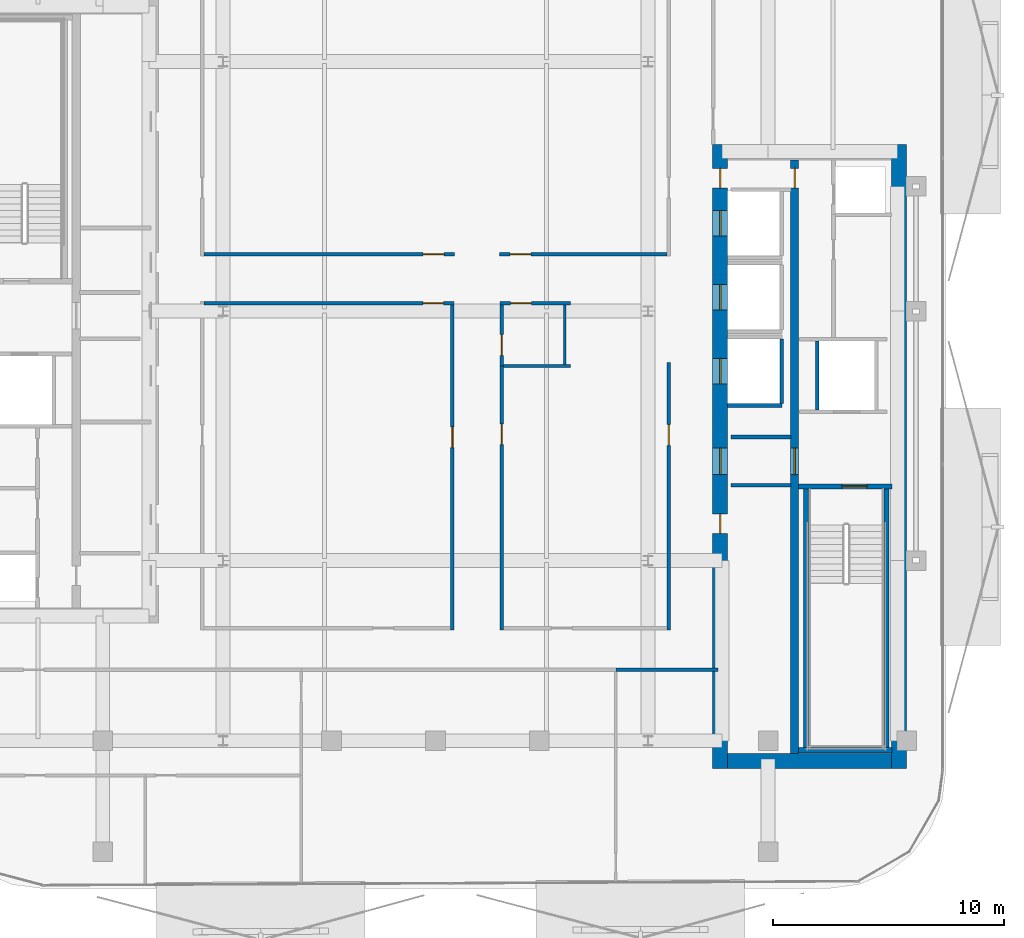
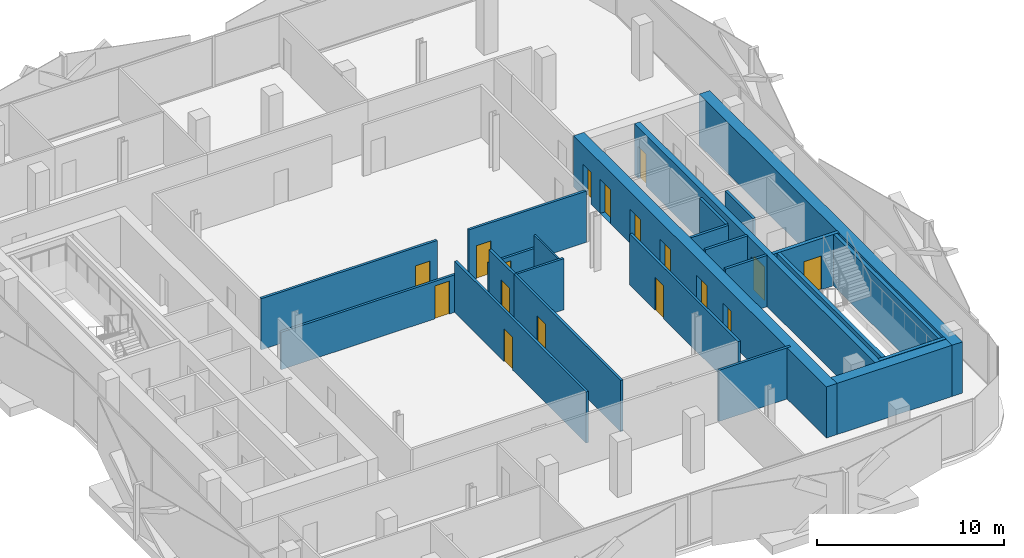
# One storey, part 4 of 14: 24 walls, 17 doors, 17 openings.
"""IFC4 building model written with IfcOpenShell, lengths in metres."""

from ifc_helpers import new_model, si_unit, direction, frame, frame_2d, origin, place, context, subcontext, project, spatial, rectangle, extrude, material, layer, layer_set, type_object, element, fill, save


model = new_model("IFC4")

# Units and contexts
model_context = context("Model", 3, precision=1e-05, world=origin(), true_north=direction((0.0, 1.0)))
body_context = subcontext(model_context, "Body", "Model", "MODEL_VIEW")
ifc_project = project(units=[si_unit("LENGTHUNIT", "METRE"), si_unit("AREAUNIT", "SQUARE_METRE"), si_unit("VOLUMEUNIT", "CUBIC_METRE"), si_unit("PLANEANGLEUNIT", "RADIAN"), si_unit("MASSUNIT", "GRAM", prefix="KILO")], contexts=[model_context])

# Site, building, storey
site_placement = place(None, origin())
site = spatial("IfcSite", under=ifc_project, at=site_placement, CompositionType="ELEMENT")
building_placement = place(site_placement, origin())
building = spatial("IfcBuilding", under=site, at=building_placement, Name="Khairoan Windgate Tower", CompositionType="ELEMENT")
storey_placement = place(building_placement, frame((0.0, 0.0, 236.800048828125)))
storey = spatial("IfcBuildingStorey", under=building, at=storey_placement, Name="L55", CompositionType="ELEMENT", Elevation=236.800048828125)

# Walls
ifc_material_1 = material(Name="Moisture-Resistant Gypsum Partition", Category="gypsum")
ifc_layer_1 = layer(ifc_material_1, 0.10009765625, Name="Moisture-Resistant Gypsum Partition")
ifc_layer_set_1 = layer_set([ifc_layer_1], Name="Moisture-Resistant Gypsum Partition")
wall_type_1 = type_object("IfcWallType", Name="Bathroom Wet-Area Partition Wall", PredefinedType="PARTITIONING", material=ifc_layer_set_1)
wall_1_placement = place(storey_placement, frame((5.60009765625, 0.260009765625, 0.0), z_axis=(0.0, 0.0, 1.0), x_axis=(0.0, -1.0, 0.0)))
element("IfcWall", 1, at=wall_1_placement, inside=storey, type_object=wall_type_1, Name="L55 Wet Room Side Wall 059", PredefinedType="PARTITIONING", context=body_context, shape_type="SweptSolid", body=[
    extrude(rectangle(XDim=2.570068359375, YDim=0.10009765625, at=frame_2d((1.28515625, 0.0))), origin(), (0.0, 0.0, 1.0), 3.33984375),
])
ifc_material_2 = material(Name="Concrete C40/50", Category="concrete")
ifc_layer_2 = layer(ifc_material_2, 0.159912109375, Name="Concrete C40/50")
ifc_layer_set_2 = layer_set([ifc_layer_2], Name="Concrete C40/50")
wall_type_2 = type_object("IfcWallType", Name="Core and Hoistway Enclosure Wall", PredefinedType="STANDARD", material=ifc_layer_set_2)
wall_2_placement = place(storey_placement, frame((12.64990234375, -4.090087890625, 0.0), z_axis=(0.0, 0.0, 1.0), x_axis=(1.0, 0.0, 0.0)))
element("IfcWall", 2, at=wall_2_placement, inside=storey, type_object=wall_type_2, Name="L55 Lift PL9 Hoistway Divider S", PredefinedType="STANDARD", context=body_context, shape_type="SweptSolid", body=[
    extrude(rectangle(XDim=2.340087890625, YDim=0.159912109375, at=frame_2d((1.169921875, 0.0))), origin(), (0.0, 0.0, 1.0), 3.33984375),
])
wall_3_placement = place(storey_placement, frame((14.989990234375, -4.0, 0.0), z_axis=(0.0, 0.0, 1.0), x_axis=(0.0, 1.0, 0.0)))
element("IfcWall", 3, at=wall_3_placement, inside=storey, type_object=wall_type_2, Name="L55 Lift PL9 Hoistway Back Wall", PredefinedType="STANDARD", context=body_context, shape_type="SweptSolid", body=[
    extrude(rectangle(XDim=2.800048828125, YDim=0.159912109375, at=frame_2d((1.39990234375, 0.0))), origin(), (0.0, 0.0, 1.0), 3.33984375),
])
wall_4_placement = place(storey_placement, frame((16.52001953125, -4.280029296875, 0.0), z_axis=(0.0, 0.0, 1.0), x_axis=(0.0, 1.0, 0.0)))
element("IfcWall", 4, at=wall_4_placement, inside=storey, type_object=wall_type_2, Name="L55 Core Shaft Wall SW-FL1W-L55", PredefinedType="STANDARD", context=body_context, shape_type="SweptSolid", body=[
    extrude(rectangle(XDim=2.97998046875, YDim=0.159912109375, at=frame_2d((1.489990234375, 0.0))), origin(), (0.0, 0.0, 1.0), 3.33984375),
])
for number, where, z_axis, x_axis, name in (
    (5, (12.800048828125, -5.449951171875, 0.0), (0.0, 0.0, 1.0), (1.0, 0.0, 0.0), "L55 Core Shaft Wall SW-EV1-L55"),
    (6, (12.800048828125, -7.5400390625, 0.0), (0.0, 0.0, 1.0), (1.0, 0.0, 0.0), "L55 Core Shaft Wall SW-EV2-L55"),
):
    element("IfcWall", number, at=place(storey_placement, frame(where, z_axis=z_axis, x_axis=x_axis)), inside=storey, type_object=wall_type_2, Name=name, PredefinedType="STANDARD", context=body_context, shape_type="SweptSolid", body=[
        extrude(rectangle(XDim=2.599853515625, YDim=0.159912109375, at=frame_2d((1.2998046875, 0.0))), origin(), (0.0, 0.0, 1.0), 3.33984375),
    ])
ifc_material_3 = material(Name="Acoustic Fire-Rated Gypsum Partition", Category="gypsum")
ifc_layer_3 = layer(ifc_material_3, 0.139892578125, Name="Acoustic Fire-Rated Gypsum Partition")
ifc_layer_set_3 = layer_set([ifc_layer_3], Name="Acoustic Fire-Rated Gypsum Partition")
wall_type_3 = type_object("IfcWallType", Name="Inter-Tenancy Compartment Wall", PredefinedType="PARTITIONING", material=ifc_layer_set_3)
wall_5_placement = place(storey_placement, frame((2.93994140625, -2.3798828125, 0.0), z_axis=(0.0, 0.0, 1.0), x_axis=(1.0, 0.0, 0.0)))
element("IfcWall", 7, at=wall_5_placement, inside=storey, type_object=wall_type_3, Name="L55 Interior Partition 057", PredefinedType="PARTITIONING", context=body_context, shape_type="SweptSolid", body=[
    extrude(rectangle(XDim=2.900146484375, YDim=0.139892578125, at=frame_2d((1.4501953125, 0.0))), origin(), (0.0, 0.0, 1.0), 3.33984375),
])

# Wall, opening, door
ifc_material_4 = material(Name="Acoustic Fire-Rated Gypsum Partition", Category="gypsum")
ifc_layer_4 = layer(ifc_material_4, 0.14990234375, Name="Acoustic Fire-Rated Gypsum Partition")
ifc_layer_set_4 = layer_set([ifc_layer_4], Name="Acoustic Fire-Rated Gypsum Partition")
wall_type_4 = type_object("IfcWallType", Name="Rated Corridor Partition Wall", PredefinedType="PARTITIONING", material=ifc_layer_set_4)
wall_6_placement = place(storey_placement, frame((10.10009765625, -13.794921875, 0.0), z_axis=(0.0, 0.0, 1.0), x_axis=(0.0, 1.0, 0.0)))
wall_6 = element("IfcWall", 8, at=wall_6_placement, inside=storey, type_object=wall_type_4, Name="L55 Interior Partition 015", PredefinedType="PARTITIONING", context=body_context, shape_type="SweptSolid", body=[
    extrude(rectangle(XDim=11.574951171875, YDim=0.14990234375, at=frame_2d((5.78759765625, 0.0))), origin(), (0.0, 0.0, 1.0), 3.33984375),
])
opening_1_placement = place(wall_6_placement, frame((7.9794921875, 0.0, 0.0)))
opening_1 = element("IfcOpeningElement", 9, at=opening_1_placement, cuts=wall_6, Name="Opening FD-ENT", PredefinedType="OPENING", context=body_context, shape_type="SweptSolid", body=[
    extrude(rectangle(XDim=0.89990234375, YDim=2.14990234375, at=frame_2d((0.449951171875, 1.074951171875))), frame((0.0, 0.0849609375, 0.0), z_axis=(0.0, -1.0, 0.0), x_axis=(1.0, 0.0, 0.0)), (0.0, 0.0, 1.0), 0.169921875),
])
ifc_material_5 = material(Name="Timber Fire-Rated Core", Category="wood")
door_type_1 = type_object("IfcDoorType", Name="Unit and Office Fire Entrance Door FD-ENT 900x2150", OperationType="NOTDEFINED", PredefinedType="DOOR", material=ifc_material_5)
door_1_placement = place(opening_1_placement, origin())
door_1 = element("IfcDoor", 10, at=door_1_placement, inside=storey, type_object=door_type_1, Name="L55 L55-27-L55-51 Door", OperationType="SINGLE_SWING_LEFT", OverallHeight=2.14990234375, OverallWidth=0.89990234375, PredefinedType="DOOR", context=body_context, shape_type="SweptSolid", body=[
    extrude(rectangle(XDim=0.89990234375, YDim=2.14990234375, at=frame_2d((0.449951171875, 1.074951171875))), frame((0.0, 0.02490234375, 0.0), z_axis=(0.0, -1.0, 0.0), x_axis=(1.0, 0.0, 0.0)), (0.0, 0.0, 1.0), 0.050048828125),
])
fill(opening_1, door_1)

wall_7_placement = place(storey_placement, frame((-10.02490234375, 2.465087890625, 0.0), z_axis=(0.0, 0.0, 1.0), x_axis=(1.0, 0.0, 0.0)))
wall_7 = element("IfcWall", 11, at=wall_7_placement, inside=storey, type_object=wall_type_4, Name="L55 Interior Partition 016", PredefinedType="PARTITIONING", context=body_context, shape_type="SweptSolid", body=[
    extrude(rectangle(XDim=10.85498046875, YDim=0.14990234375, at=frame_2d((5.427490234375, 0.0))), origin(), (0.0, 0.0, 1.0), 3.33984375),
])
opening_2_placement = place(wall_7_placement, frame((9.4951171875, 0.0, 0.0)))
opening_2 = element("IfcOpeningElement", 12, at=opening_2_placement, cuts=wall_7, Name="Opening FD-ENT", PredefinedType="OPENING", context=body_context, shape_type="SweptSolid", body=[
    extrude(rectangle(XDim=0.89990234375, YDim=2.14990234375, at=frame_2d((0.449951171875, 1.074951171875))), frame((0.0, 0.0849609375, 0.0), z_axis=(0.0, -1.0, 0.0), x_axis=(1.0, 0.0, 0.0)), (0.0, 0.0, 1.0), 0.169921875),
])
door_2_placement = place(opening_2_placement, origin())
door_2 = element("IfcDoor", 13, at=door_2_placement, inside=storey, type_object=door_type_1, Name="L55 L55-28-L55-47 Door", OperationType="SINGLE_SWING_RIGHT", OverallHeight=2.14990234375, OverallWidth=0.89990234375, PredefinedType="DOOR", context=body_context, shape_type="SweptSolid", body=[
    extrude(rectangle(XDim=0.89990234375, YDim=2.14990234375, at=frame_2d((0.449951171875, 1.074951171875))), frame((0.0, 0.02490234375, 0.0), z_axis=(0.0, -1.0, 0.0), x_axis=(1.0, 0.0, 0.0)), (0.0, 0.0, 1.0), 0.050048828125),
])
fill(opening_2, door_2)

wall_8_placement = place(storey_placement, frame((-10.02490234375, 0.3349609375, 0.0), z_axis=(0.0, 0.0, 1.0), x_axis=(1.0, 0.0, 0.0)))
wall_8 = element("IfcWall", 14, at=wall_8_placement, inside=storey, type_object=wall_type_4, Name="L55 Interior Partition 017", PredefinedType="PARTITIONING", context=body_context, shape_type="SweptSolid", body=[
    extrude(rectangle(XDim=10.8349609375, YDim=0.14990234375, at=frame_2d((5.41748046875, 0.0))), origin(), (0.0, 0.0, 1.0), 2.43994140625),
])
opening_3_placement = place(wall_8_placement, frame((9.47509765625, 0.0, 0.0)))
opening_3 = element("IfcOpeningElement", 15, at=opening_3_placement, cuts=wall_8, Name="Opening FD-ENT", PredefinedType="OPENING", context=body_context, shape_type="SweptSolid", body=[
    extrude(rectangle(XDim=0.89990234375, YDim=2.14990234375, at=frame_2d((0.449951171875, 1.074951171875))), frame((0.0, 0.0849609375, 0.0), z_axis=(0.0, -1.0, 0.0), x_axis=(1.0, 0.0, 0.0)), (0.0, 0.0, 1.0), 0.169921875),
])
door_3_placement = place(opening_3_placement, origin())
door_3 = element("IfcDoor", 16, at=door_3_placement, inside=storey, type_object=door_type_1, Name="L55 L55-28-L55-48 Door", OperationType="SINGLE_SWING_LEFT", OverallHeight=2.14990234375, OverallWidth=0.89990234375, PredefinedType="DOOR", context=body_context, shape_type="SweptSolid", body=[
    extrude(rectangle(XDim=0.89990234375, YDim=2.14990234375, at=frame_2d((0.449951171875, 1.074951171875))), frame((0.0, 0.02490234375, 0.0), z_axis=(0.0, -1.0, 0.0), x_axis=(1.0, 0.0, 0.0)), (0.0, 0.0, 1.0), 0.050048828125),
])
fill(opening_3, door_3)

wall_9_placement = place(storey_placement, frame((2.77001953125, 2.465087890625, 0.0), z_axis=(0.0, 0.0, 1.0), x_axis=(1.0, 0.0, 0.0)))
wall_9 = element("IfcWall", 17, at=wall_9_placement, inside=storey, type_object=wall_type_4, Name="L55 Interior Partition 018", PredefinedType="PARTITIONING", context=body_context, shape_type="SweptSolid", body=[
    extrude(rectangle(XDim=7.2548828125, YDim=0.14990234375, at=frame_2d((3.62744140625, 0.0))), origin(), (0.0, 0.0, 1.0), 3.33984375),
])
opening_4_placement = place(wall_9_placement, frame((0.4599609375, 0.0, 0.0)))
opening_4 = element("IfcOpeningElement", 18, at=opening_4_placement, cuts=wall_9, Name="Opening FD-ENT", PredefinedType="OPENING", context=body_context, shape_type="SweptSolid", body=[
    extrude(rectangle(XDim=0.89990234375, YDim=2.14990234375, at=frame_2d((0.449951171875, 1.074951171875))), frame((0.0, 0.0849609375, 0.0), z_axis=(0.0, -1.0, 0.0), x_axis=(1.0, 0.0, 0.0)), (0.0, 0.0, 1.0), 0.169921875),
])
door_4_placement = place(opening_4_placement, origin())
door_4 = element("IfcDoor", 19, at=door_4_placement, inside=storey, type_object=door_type_1, Name="L55 L55-28-L55-49 Door", OperationType="SINGLE_SWING_RIGHT", OverallHeight=2.14990234375, OverallWidth=0.89990234375, PredefinedType="DOOR", context=body_context, shape_type="SweptSolid", body=[
    extrude(rectangle(XDim=0.89990234375, YDim=2.14990234375, at=frame_2d((0.449951171875, 1.074951171875))), frame((0.0, 0.02490234375, 0.0), z_axis=(0.0, -1.0, 0.0), x_axis=(1.0, 0.0, 0.0)), (0.0, 0.0, 1.0), 0.050048828125),
])
fill(opening_4, door_4)

wall_10_placement = place(storey_placement, frame((2.7900390625, 0.3349609375, 0.0), z_axis=(0.0, 0.0, 1.0), x_axis=(1.0, 0.0, 0.0)))
wall_10 = element("IfcWall", 20, at=wall_10_placement, inside=storey, type_object=wall_type_4, Name="L55 Interior Partition 019", PredefinedType="PARTITIONING", context=body_context, shape_type="SweptSolid", body=[
    extrude(rectangle(XDim=3.050048828125, YDim=0.14990234375, at=frame_2d((1.52490234375, 0.0))), origin(), (0.0, 0.0, 1.0), 2.43994140625),
])
opening_5_placement = place(wall_10_placement, frame((0.4599609375, 0.0, 0.0)))
opening_5 = element("IfcOpeningElement", 21, at=opening_5_placement, cuts=wall_10, Name="Opening FD-ENT", PredefinedType="OPENING", context=body_context, shape_type="SweptSolid", body=[
    extrude(rectangle(XDim=0.89990234375, YDim=2.14990234375, at=frame_2d((0.449951171875, 1.074951171875))), frame((0.0, 0.0849609375, 0.0), z_axis=(0.0, -1.0, 0.0), x_axis=(1.0, 0.0, 0.0)), (0.0, 0.0, 1.0), 0.169921875),
])
door_5_placement = place(opening_5_placement, origin())
door_5 = element("IfcDoor", 22, at=door_5_placement, inside=storey, type_object=door_type_1, Name="L55 L55-28-L55-50 Door", OperationType="SINGLE_SWING_LEFT", OverallHeight=2.14990234375, OverallWidth=0.89990234375, PredefinedType="DOOR", context=body_context, shape_type="SweptSolid", body=[
    extrude(rectangle(XDim=0.89990234375, YDim=2.14990234375, at=frame_2d((0.449951171875, 1.074951171875))), frame((0.0, 0.02490234375, 0.0), z_axis=(0.0, -1.0, 0.0), x_axis=(1.0, 0.0, 0.0)), (0.0, 0.0, 1.0), 0.050048828125),
])
fill(opening_5, door_5)

wall_11_placement = place(storey_placement, frame((0.735107421875, -13.794921875, 0.0), z_axis=(0.0, 0.0, 1.0), x_axis=(0.0, 1.0, 0.0)))
wall_11 = element("IfcWall", 23, at=wall_11_placement, inside=storey, type_object=wall_type_4, Name="L55 Interior Partition 020", PredefinedType="PARTITIONING", context=body_context, shape_type="SweptSolid", body=[
    extrude(rectangle(XDim=14.054931640625, YDim=0.14990234375, at=frame_2d((7.02734375, 0.0))), origin(), (0.0, 0.0, 1.0), 3.33984375),
])
opening_6_placement = place(wall_11_placement, frame((7.881103515625, 0.0, 0.0)))
opening_6 = element("IfcOpeningElement", 24, at=opening_6_placement, cuts=wall_11, Name="Opening FD-ENT", PredefinedType="OPENING", context=body_context, shape_type="SweptSolid", body=[
    extrude(rectangle(XDim=0.89990234375, YDim=2.14990234375, at=frame_2d((0.449951171875, 1.074951171875))), frame((0.0, 0.0849609375, 0.0), z_axis=(0.0, -1.0, 0.0), x_axis=(1.0, 0.0, 0.0)), (0.0, 0.0, 1.0), 0.169921875),
])
door_6_placement = place(opening_6_placement, origin())
door_6 = element("IfcDoor", 25, at=door_6_placement, inside=storey, type_object=door_type_1, Name="L55 L55-29-L55-48 Door", OperationType="SINGLE_SWING_RIGHT", OverallHeight=2.14990234375, OverallWidth=0.89990234375, PredefinedType="DOOR", context=body_context, shape_type="SweptSolid", body=[
    extrude(rectangle(XDim=0.89990234375, YDim=2.14990234375, at=frame_2d((0.449951171875, 1.074951171875))), frame((0.0, 0.02490234375, 0.0), z_axis=(0.0, -1.0, 0.0), x_axis=(1.0, 0.0, 0.0)), (0.0, 0.0, 1.0), 0.050048828125),
])
fill(opening_6, door_6)

wall_12_placement = place(storey_placement, frame((2.864990234375, -2.3798828125, 0.0), z_axis=(0.0, 0.0, 1.0), x_axis=(0.0, 1.0, 0.0)))
wall_12 = element("IfcWall", 26, at=wall_12_placement, inside=storey, type_object=wall_type_4, Name="L55 Interior Partition 021", PredefinedType="PARTITIONING", context=body_context, shape_type="SweptSolid", body=[
    extrude(rectangle(XDim=2.639892578125, YDim=0.14990234375, at=frame_2d((1.31982421875, 0.0))), origin(), (0.0, 0.0, 1.0), 3.33984375),
])
opening_7_placement = place(wall_12_placement, frame((0.4599609375, 0.0, 0.0)))
opening_7 = element("IfcOpeningElement", 27, at=opening_7_placement, cuts=wall_12, Name="Opening FD-ENT", PredefinedType="OPENING", context=body_context, shape_type="SweptSolid", body=[
    extrude(rectangle(XDim=0.89990234375, YDim=2.14990234375, at=frame_2d((0.449951171875, 1.074951171875))), frame((0.0, 0.0849609375, 0.0), z_axis=(0.0, -1.0, 0.0), x_axis=(1.0, 0.0, 0.0)), (0.0, 0.0, 1.0), 0.169921875),
])
door_7_placement = place(opening_7_placement, origin())
door_7 = element("IfcDoor", 28, at=door_7_placement, inside=storey, type_object=door_type_1, Name="L55 L55-29-L55-50 Door", OperationType="SINGLE_SWING_LEFT", OverallHeight=2.14990234375, OverallWidth=0.89990234375, PredefinedType="DOOR", context=body_context, shape_type="SweptSolid", body=[
    extrude(rectangle(XDim=0.89990234375, YDim=2.14990234375, at=frame_2d((0.449951171875, 1.074951171875))), frame((0.0, 0.02490234375, 0.0), z_axis=(0.0, -1.0, 0.0), x_axis=(1.0, 0.0, 0.0)), (0.0, 0.0, 1.0), 0.050048828125),
])
fill(opening_7, door_7)

wall_13_placement = place(storey_placement, frame((2.864990234375, -13.794921875, 0.0), z_axis=(0.0, 0.0, 1.0), x_axis=(0.0, 1.0, 0.0)))
wall_13 = element("IfcWall", 29, at=wall_13_placement, inside=storey, type_object=wall_type_4, Name="L55 Interior Partition 022", PredefinedType="PARTITIONING", context=body_context, shape_type="SweptSolid", body=[
    extrude(rectangle(XDim=11.4150390625, YDim=0.14990234375, at=frame_2d((5.70751953125, 0.0))), origin(), (0.0, 0.0, 1.0), 3.33984375),
])
opening_8_placement = place(wall_13_placement, frame((8.013427734375, 0.0, 0.0)))
opening_8 = element("IfcOpeningElement", 30, at=opening_8_placement, cuts=wall_13, Name="Opening FD-ENT", PredefinedType="OPENING", context=body_context, shape_type="SweptSolid", body=[
    extrude(rectangle(XDim=0.89990234375, YDim=2.14990234375, at=frame_2d((0.449951171875, 1.074951171875))), frame((0.0, 0.0849609375, 0.0), z_axis=(0.0, -1.0, 0.0), x_axis=(1.0, 0.0, 0.0)), (0.0, 0.0, 1.0), 0.169921875),
])
door_8_placement = place(opening_8_placement, origin())
door_8 = element("IfcDoor", 31, at=door_8_placement, inside=storey, type_object=door_type_1, Name="L55 L55-29-L55-51 Door", OperationType="SINGLE_SWING_RIGHT", OverallHeight=2.14990234375, OverallWidth=0.89990234375, PredefinedType="DOOR", context=body_context, shape_type="SweptSolid", body=[
    extrude(rectangle(XDim=0.89990234375, YDim=2.14990234375, at=frame_2d((0.449951171875, 1.074951171875))), frame((0.0, 0.02490234375, 0.0), z_axis=(0.0, -1.0, 0.0), x_axis=(1.0, 0.0, 0.0)), (0.0, 0.0, 1.0), 0.050048828125),
])
fill(opening_8, door_8)

# Wall
wall_14_placement = place(storey_placement, frame((7.804931640625, -15.52490234375, 0.0), z_axis=(0.0, 0.0, 1.0), x_axis=(1.0, 0.0, 0.0)))
element("IfcWall", 32, at=wall_14_placement, inside=storey, type_object=wall_type_4, Name="L55 Interior Partition 033", PredefinedType="PARTITIONING", context=body_context, shape_type="SweptSolid", body=[
    extrude(rectangle(XDim=4.43505859375, YDim=0.14990234375, at=frame_2d((2.217529296875, 0.0))), origin(), (0.0, 0.0, 1.0), 3.33984375),
])

# Wall, openings, doors
ifc_material_6 = material(Name="Concrete C60/75", Category="concrete")
ifc_layer_5 = layer(ifc_material_6, 0.64990234375, Name="Concrete C60/75")
ifc_layer_set_5 = layer_set([ifc_layer_5], Name="Concrete C60/75")
wall_type_5 = type_object("IfcWallType", Name="Shear Wall CW-E2 650mm", PredefinedType="SHEAR", material=ifc_layer_set_5)
wall_15_placement = place(storey_placement, frame((12.324951171875, -19.800048828125, 0.0), z_axis=(0.0, 0.0, 1.0), x_axis=(0.0, 1.0, 0.0)))
wall_15 = element("IfcWall", 33, at=wall_15_placement, inside=storey, type_object=wall_type_5, Name="E Core West Shear Wall L55", PredefinedType="SHEAR", context=body_context, shape_type="SweptSolid", body=[
    extrude(rectangle(XDim=27.0, YDim=0.64990234375, at=frame_2d((13.5, 0.0))), origin(), (0.0, 0.0, 1.0), 3.33984375),
])
opening_9_placement = place(wall_15_placement, frame((23.050048828125, 0.0, 0.0)))
opening_9 = element("IfcOpeningElement", 34, at=opening_9_placement, cuts=wall_15, Name="Opening LD-PL", PredefinedType="OPENING", context=body_context, shape_type="SweptSolid", body=[
    extrude(rectangle(XDim=1.10009765625, YDim=2.199951171875, at=frame_2d((0.550048828125, 1.10009765625))), frame((0.0, 0.3349609375, 0.0), z_axis=(0.0, -1.0, 0.0), x_axis=(1.0, 0.0, 0.0)), (0.0, 0.0, 1.0), 0.669921875),
])
opening_10_placement = place(wall_15_placement, frame((19.85009765625, 0.0, 0.0)))
opening_10 = element("IfcOpeningElement", 35, at=opening_10_placement, cuts=wall_15, Name="Opening LD-PL", PredefinedType="OPENING", context=body_context, shape_type="SweptSolid", body=[
    extrude(rectangle(XDim=1.10009765625, YDim=2.199951171875, at=frame_2d((0.550048828125, 1.10009765625))), frame((0.0, 0.3349609375, 0.0), z_axis=(0.0, -1.0, 0.0), x_axis=(1.0, 0.0, 0.0)), (0.0, 0.0, 1.0), 0.669921875),
])
opening_11_placement = place(wall_15_placement, frame((16.64990234375, 0.0, 0.0)))
opening_11 = element("IfcOpeningElement", 36, at=opening_11_placement, cuts=wall_15, Name="Opening LD-PL", PredefinedType="OPENING", context=body_context, shape_type="SweptSolid", body=[
    extrude(rectangle(XDim=1.10009765625, YDim=2.199951171875, at=frame_2d((0.550048828125, 1.10009765625))), frame((0.0, 0.3349609375, 0.0), z_axis=(0.0, -1.0, 0.0), x_axis=(1.0, 0.0, 0.0)), (0.0, 0.0, 1.0), 0.669921875),
])
opening_12_placement = place(wall_15_placement, frame((10.175048828125, 0.0, 0.0)))
opening_12 = element("IfcOpeningElement", 37, at=opening_12_placement, cuts=wall_15, Name="Opening FD-SRV", PredefinedType="OPENING", context=body_context, shape_type="SweptSolid", body=[
    extrude(rectangle(XDim=0.85009765625, YDim=2.10009765625, at=frame_2d((0.425048828125, 1.050048828125))), frame((0.0, 0.3349609375, 0.0), z_axis=(0.0, -1.0, 0.0), x_axis=(1.0, 0.0, 0.0)), (0.0, 0.0, 1.0), 0.669921875),
])
opening_13_placement = place(wall_15_placement, frame((12.72509765625, 0.0, 0.0)))
opening_13 = element("IfcOpeningElement", 38, at=opening_13_placement, cuts=wall_15, Name="Opening FD-FFL", PredefinedType="OPENING", context=body_context, shape_type="SweptSolid", body=[
    extrude(rectangle(XDim=1.14990234375, YDim=2.199951171875, at=frame_2d((0.574951171875, 1.10009765625))), frame((0.0, 0.3349609375, 0.0), z_axis=(0.0, -1.0, 0.0), x_axis=(1.0, 0.0, 0.0)), (0.0, 0.0, 1.0), 0.669921875),
])
opening_14_placement = place(wall_15_placement, frame((25.125, 0.0, 0.0)))
opening_14 = element("IfcOpeningElement", 39, at=opening_14_placement, cuts=wall_15, Name="Opening FD-SRV", PredefinedType="OPENING", context=body_context, shape_type="SweptSolid", body=[
    extrude(rectangle(XDim=0.85009765625, YDim=2.10009765625, at=frame_2d((0.425048828125, 1.050048828125))), frame((0.0, 0.3349609375, 0.0), z_axis=(0.0, -1.0, 0.0), x_axis=(1.0, 0.0, 0.0)), (0.0, 0.0, 1.0), 0.669921875),
])
ifc_material_7 = material(Name="Steel S355", Category="steel")
door_type_2 = type_object("IfcDoorType", Name="Core Service and Riser Fire Door FD-SRV 850x2100", OperationType="NOTDEFINED", PredefinedType="DOOR", material=ifc_material_7)
door_9_placement = place(opening_12_placement, origin())
door_9 = element("IfcDoor", 40, at=door_9_placement, inside=storey, type_object=door_type_2, Name="L55 East Core Service Room Door 1", OperationType="SINGLE_SWING_LEFT", OverallHeight=2.10009765625, OverallWidth=0.85009765625, PredefinedType="DOOR", context=body_context, shape_type="SweptSolid", body=[
    extrude(rectangle(XDim=0.85009765625, YDim=2.10009765625, at=frame_2d((0.425048828125, 1.050048828125))), frame((0.0, 0.02490234375, 0.0), z_axis=(0.0, -1.0, 0.0), x_axis=(1.0, 0.0, 0.0)), (0.0, 0.0, 1.0), 0.050048828125),
])
fill(opening_12, door_9)
door_10_placement = place(opening_14_placement, origin())
door_10 = element("IfcDoor", 41, at=door_10_placement, inside=storey, type_object=door_type_2, Name="L55 East Core Service Vestibule Outer Door", OperationType="SINGLE_SWING_RIGHT", OverallHeight=2.10009765625, OverallWidth=0.85009765625, PredefinedType="DOOR", context=body_context, shape_type="SweptSolid", body=[
    extrude(rectangle(XDim=0.85009765625, YDim=2.10009765625, at=frame_2d((0.425048828125, 1.050048828125))), frame((0.0, 0.02490234375, 0.0), z_axis=(0.0, -1.0, 0.0), x_axis=(1.0, 0.0, 0.0)), (0.0, 0.0, 1.0), 0.050048828125),
])
fill(opening_14, door_10)
ifc_material_8 = material(Name="Steel S355", Category="steel")
door_type_3 = type_object("IfcDoorType", Name="Firefighting Lobby Fire Door FD-FFL 1150x2200", OperationType="NOTDEFINED", PredefinedType="DOOR", material=ifc_material_8)
door_11_placement = place(opening_13_placement, origin())
door_11 = element("IfcDoor", 42, at=door_11_placement, inside=storey, type_object=door_type_3, Name="L55 East Core Vestibule Entry Door", OperationType="SINGLE_SWING_RIGHT", OverallHeight=2.199951171875, OverallWidth=1.14990234375, PredefinedType="DOOR", context=body_context, shape_type="SweptSolid", body=[
    extrude(rectangle(XDim=1.14990234375, YDim=2.199951171875, at=frame_2d((0.574951171875, 1.10009765625))), frame((0.0, 0.02490234375, 0.0), z_axis=(0.0, -1.0, 0.0), x_axis=(1.0, 0.0, 0.0)), (0.0, 0.0, 1.0), 0.050048828125),
])
fill(opening_13, door_11)
ifc_material_9 = material(Name="Anodised Bronze Aluminium 6063-T6", Category="aluminium")
door_type_4 = type_object("IfcDoorType", Name="Passenger Lift Sliding Landing Door LD-PL 1100x2200", OperationType="DOUBLE_DOOR_SLIDING", PredefinedType="DOOR", material=ifc_material_9)
door_12_placement = place(opening_9_placement, origin())
door_12 = element("IfcDoor", 43, at=door_12_placement, inside=storey, type_object=door_type_4, Name="L55 Lift PL7 Sliding Landing Door", OperationType="DOUBLE_DOOR_SLIDING", OverallHeight=2.199951171875, OverallWidth=1.10009765625, PredefinedType="DOOR", context=body_context, shape_type="SweptSolid", body=[
    extrude(rectangle(XDim=1.10009765625, YDim=2.199951171875, at=frame_2d((0.550048828125, 1.10009765625))), frame((0.0, 0.02490234375, 0.0), z_axis=(0.0, -1.0, 0.0), x_axis=(1.0, 0.0, 0.0)), (0.0, 0.0, 1.0), 0.050048828125),
])
fill(opening_9, door_12)
door_13_placement = place(opening_10_placement, origin())
door_13 = element("IfcDoor", 44, at=door_13_placement, inside=storey, type_object=door_type_4, Name="L55 Lift PL8 Sliding Landing Door", OperationType="DOUBLE_DOOR_SLIDING", OverallHeight=2.199951171875, OverallWidth=1.10009765625, PredefinedType="DOOR", context=body_context, shape_type="SweptSolid", body=[
    extrude(rectangle(XDim=1.10009765625, YDim=2.199951171875, at=frame_2d((0.550048828125, 1.10009765625))), frame((0.0, 0.02490234375, 0.0), z_axis=(0.0, -1.0, 0.0), x_axis=(1.0, 0.0, 0.0)), (0.0, 0.0, 1.0), 0.050048828125),
])
fill(opening_10, door_13)
door_14_placement = place(opening_11_placement, origin())
door_14 = element("IfcDoor", 45, at=door_14_placement, inside=storey, type_object=door_type_4, Name="L55 Lift PL9 Sliding Landing Door", OperationType="DOUBLE_DOOR_SLIDING", OverallHeight=2.199951171875, OverallWidth=1.10009765625, PredefinedType="DOOR", context=body_context, shape_type="SweptSolid", body=[
    extrude(rectangle(XDim=1.10009765625, YDim=2.199951171875, at=frame_2d((0.550048828125, 1.10009765625))), frame((0.0, 0.02490234375, 0.0), z_axis=(0.0, -1.0, 0.0), x_axis=(1.0, 0.0, 0.0)), (0.0, 0.0, 1.0), 0.050048828125),
])
fill(opening_11, door_14)

# Walls
wall_16_placement = place(storey_placement, frame((20.074951171875, -19.800048828125, 0.0), z_axis=(0.0, 0.0, 1.0), x_axis=(0.0, 1.0, 0.0)))
element("IfcWall", 46, at=wall_16_placement, inside=storey, type_object=wall_type_5, Name="E Core East Shear Wall L55", PredefinedType="SHEAR", context=body_context, shape_type="SweptSolid", body=[
    extrude(rectangle(XDim=27.0, YDim=0.64990234375, at=frame_2d((13.5, 0.0))), origin(), (0.0, 0.0, 1.0), 3.33984375),
])
wall_17_placement = place(storey_placement, frame((12.64990234375, -19.47509765625, 0.0), z_axis=(0.0, 0.0, 1.0), x_axis=(1.0, 0.0, 0.0)))
element("IfcWall", 47, at=wall_17_placement, inside=storey, type_object=wall_type_5, Name="E Core South Shear Wall L55", PredefinedType="SHEAR", context=body_context, shape_type="SweptSolid", body=[
    extrude(rectangle(XDim=7.10009765625, YDim=0.64990234375, at=frame_2d((3.550048828125, 0.0))), origin(), (0.0, 0.0, 1.0), 3.33984375),
])

# Wall, openings, doors
ifc_material_10 = material(Name="Concrete C60/75", Category="concrete")
ifc_layer_6 = layer(ifc_material_10, 0.35009765625, Name="Concrete C60/75")
ifc_layer_set_6 = layer_set([ifc_layer_6], Name="Concrete C60/75")
wall_type_6 = type_object("IfcWallType", Name="Shear Wall SW-1 350mm", PredefinedType="SHEAR", material=ifc_layer_set_6)
wall_18_placement = place(storey_placement, frame((15.550048828125, -19.14990234375, 0.0), z_axis=(0.0, 0.0, 1.0), x_axis=(0.0, 1.0, 0.0)))
wall_18 = element("IfcWall", 48, at=wall_18_placement, inside=storey, type_object=wall_type_6, Name="E Core Spine Shear Wall L55", PredefinedType="SHEAR", context=body_context, shape_type="SweptSolid", body=[
    extrude(rectangle(XDim=25.699951171875, YDim=0.35009765625, at=frame_2d((12.85009765625, 0.0))), origin(), (0.0, 0.0, 1.0), 3.33984375),
])
opening_15_placement = place(wall_18_placement, frame((12.074951171875, 0.0, 0.0)))
opening_15 = element("IfcOpeningElement", 49, at=opening_15_placement, cuts=wall_18, Name="Opening FD-FFL", PredefinedType="OPENING", context=body_context, shape_type="SweptSolid", body=[
    extrude(rectangle(XDim=1.14990234375, YDim=2.199951171875, at=frame_2d((0.574951171875, 1.10009765625))), frame((0.0, 0.18505859375, 0.0), z_axis=(0.0, -1.0, 0.0), x_axis=(1.0, 0.0, 0.0)), (0.0, 0.0, 1.0), 0.3701171875),
])
opening_16_placement = place(wall_18_placement, frame((24.47509765625, 0.0, 0.0)))
opening_16 = element("IfcOpeningElement", 50, at=opening_16_placement, cuts=wall_18, Name="Opening FD-SRV", PredefinedType="OPENING", context=body_context, shape_type="SweptSolid", body=[
    extrude(rectangle(XDim=0.85009765625, YDim=2.10009765625, at=frame_2d((0.425048828125, 1.050048828125))), frame((0.0, 0.18505859375, 0.0), z_axis=(0.0, -1.0, 0.0), x_axis=(1.0, 0.0, 0.0)), (0.0, 0.0, 1.0), 0.3701171875),
])
door_15_placement = place(opening_16_placement, origin())
door_15 = element("IfcDoor", 51, at=door_15_placement, inside=storey, type_object=door_type_2, Name="L55 East Core Service Passage Inner Door", OperationType="SINGLE_SWING_LEFT", OverallHeight=2.10009765625, OverallWidth=0.85009765625, PredefinedType="DOOR", context=body_context, shape_type="SweptSolid", body=[
    extrude(rectangle(XDim=0.85009765625, YDim=2.10009765625, at=frame_2d((0.425048828125, 1.050048828125))), frame((0.0, 0.02490234375, 0.0), z_axis=(0.0, -1.0, 0.0), x_axis=(1.0, 0.0, 0.0)), (0.0, 0.0, 1.0), 0.050048828125),
])
fill(opening_16, door_15)
door_16_placement = place(opening_15_placement, origin())
door_16 = element("IfcDoor", 52, at=door_16_placement, inside=storey, type_object=door_type_3, Name="L55 East Firefighting Lobby Fire Door", OperationType="SINGLE_SWING_LEFT", OverallHeight=2.199951171875, OverallWidth=1.14990234375, PredefinedType="DOOR", context=body_context, shape_type="SweptSolid", body=[
    extrude(rectangle(XDim=1.14990234375, YDim=2.199951171875, at=frame_2d((0.574951171875, 1.10009765625))), frame((0.0, 0.02490234375, 0.0), z_axis=(0.0, -1.0, 0.0), x_axis=(1.0, 0.0, 0.0)), (0.0, 0.0, 1.0), 0.050048828125),
])
fill(opening_15, door_16)

# Walls
ifc_material_11 = material(Name="Concrete C50/60", Category="concrete")
ifc_layer_7 = layer(ifc_material_11, 0.219970703125, Name="Concrete C50/60")
ifc_layer_set_7 = layer_set([ifc_layer_7], Name="Concrete C50/60")
wall_type_7 = type_object("IfcWallType", Name="Shear Wall SW-ST 220mm", PredefinedType="SHEAR", material=ifc_layer_set_7)
for number, where, z_axis, x_axis, name in (
    (53, (16.0400390625, -19.010009765625, 0.0), (0.0, 0.0, 1.0), (0.0, 1.0, 0.0), "L55 Stair ST1 West Bearing Wall"),
    (54, (19.530029296875, -19.010009765625, 0.0), (0.0, 0.0, 1.0), (0.0, 1.0, 0.0), "L55 Stair ST1 East Bearing Wall"),
):
    element("IfcWall", number, at=place(storey_placement, frame(where, z_axis=z_axis, x_axis=x_axis)), inside=storey, type_object=wall_type_7, Name=name, PredefinedType="SHEAR", context=body_context, shape_type="SweptSolid", body=[
        extrude(rectangle(XDim=11.419921875, YDim=0.219970703125, at=frame_2d((5.7099609375, 0.0))), origin(), (0.0, 0.0, 1.0), 3.33984375),
    ])
wall_19_placement = place(storey_placement, frame((15.705078125, -19.010009765625, 0.0), z_axis=(0.0, 0.0, 1.0), x_axis=(1.0, 0.0, 0.0)))
element("IfcWall", 55, at=wall_19_placement, inside=storey, type_object=wall_type_7, Name="L55 Stair ST1 South Bearing Wall", PredefinedType="SHEAR", context=body_context, shape_type="SweptSolid", body=[
    extrude(rectangle(XDim=4.06494140625, YDim=0.219970703125, at=frame_2d((2.032470703125, 0.0))), origin(), (0.0, 0.0, 1.0), 3.33984375),
])

# Wall, opening, door
wall_20_placement = place(storey_placement, frame((19.77001953125, -7.590087890625, 0.0), z_axis=(0.0, 0.0, 1.0), x_axis=(-1.0, 0.0, 0.0)))
wall_20 = element("IfcWall", 56, at=wall_20_placement, inside=storey, type_object=wall_type_7, Name="L55 Stair ST1 North Bearing Wall", PredefinedType="SHEAR", context=body_context, shape_type="SweptSolid", body=[
    extrude(rectangle(XDim=4.06494140625, YDim=0.219970703125, at=frame_2d((2.032470703125, 0.0))), origin(), (0.0, 0.0, 1.0), 3.33984375),
])
opening_17_placement = place(wall_20_placement, frame((1.080078125, 0.0, 0.0)))
opening_17 = element("IfcOpeningElement", 57, at=opening_17_placement, cuts=wall_20, Name="Opening FD-ST", PredefinedType="OPENING", context=body_context, shape_type="SweptSolid", body=[
    extrude(rectangle(XDim=1.10009765625, YDim=2.199951171875, at=frame_2d((0.550048828125, 1.10009765625))), frame((0.0, 0.119873046875, 0.0), z_axis=(0.0, -1.0, 0.0), x_axis=(1.0, 0.0, 0.0)), (0.0, 0.0, 1.0), 0.239990234375),
])
ifc_material_12 = material(Name="Steel S355", Category="steel")
door_type_5 = type_object("IfcDoorType", Name="Smokeproof Stair Fire Door FD-ST 1100x2200", OperationType="NOTDEFINED", PredefinedType="DOOR", material=ifc_material_12)
door_17_placement = place(opening_17_placement, origin())
door_17 = element("IfcDoor", 58, at=door_17_placement, inside=storey, type_object=door_type_5, Name="L55 Stair ST1 Fire Door", OperationType="SINGLE_SWING_LEFT", OverallHeight=2.199951171875, OverallWidth=1.10009765625, PredefinedType="DOOR", context=body_context, shape_type="SweptSolid", body=[
    extrude(rectangle(XDim=1.10009765625, YDim=2.199951171875, at=frame_2d((0.550048828125, 1.10009765625))), frame((0.0, 0.02490234375, 0.0), z_axis=(0.0, -1.0, 0.0), x_axis=(1.0, 0.0, 0.0)), (0.0, 0.0, 1.0), 0.050048828125),
])
fill(opening_17, door_17)

save(model, "model.ifc")
